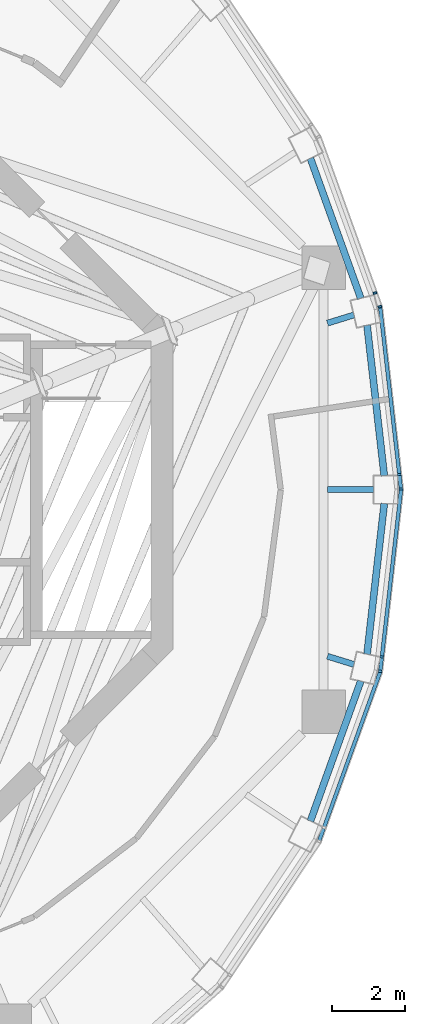
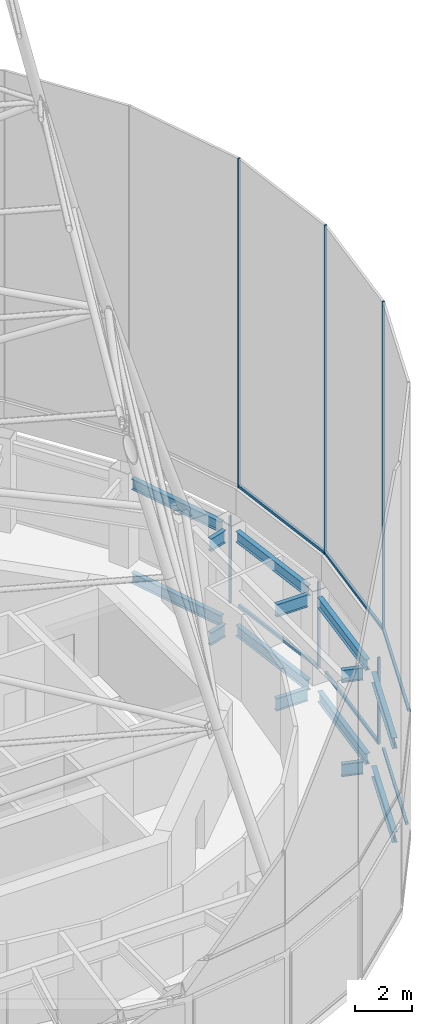
# One storey, part 16 of 25: 14 beams, 12 members, 8 elements without a shape of their own.
"""IFC4 building model written with IfcOpenShell, lengths in metres."""

from ifc_helpers import new_model, si_unit, direction, frame, origin, origin_2d, place, context, subcontext, project, spatial, rectangle, i_section, extrude, material, layer, layer_set, material_profile, profile_set, type_object, element, aggregate, save


model = new_model("IFC4")

# Units and contexts
model_context = context("Model", 3, precision=1e-05, world=origin(), true_north=direction((0.0, 1.0)))
body_context = subcontext(model_context, "Body", "Model", "MODEL_VIEW")
ifc_project = project(units=[si_unit("LENGTHUNIT", "METRE"), si_unit("AREAUNIT", "SQUARE_METRE"), si_unit("VOLUMEUNIT", "CUBIC_METRE"), si_unit("PLANEANGLEUNIT", "RADIAN"), si_unit("MASSUNIT", "GRAM", prefix="KILO")], contexts=[model_context])

# Site, building, storey
site_placement = place(None, origin())
site = spatial("IfcSite", under=ifc_project, at=site_placement, CompositionType="ELEMENT")
building_placement = place(site_placement, origin())
building = spatial("IfcBuilding", under=site, at=building_placement, Name="Nagisa Residences", CompositionType="ELEMENT")
storey_placement = place(building_placement, frame((0.0, 0.0, 340.89990234375)))
storey = spatial("IfcBuildingStorey", under=building, at=storey_placement, Name="L84", CompositionType="ELEMENT", Elevation=340.89990234375)

# Curtain wall, member
ifc_material_1 = material(Name="Aluminium curtain wall system", Category="aluminium")
ifc_layer = layer(ifc_material_1, 0.159912109375)
ifc_layer_set = layer_set([ifc_layer], Name="CW5 CURTAIN WALL")
curtain_wall_type = type_object("IfcCurtainWallType", Name="CW5 CURTAIN WALL", PredefinedType="NOTDEFINED", material=ifc_layer_set)
curtain_wall_1_placement = place(storey_placement, origin())
curtain_wall_1 = element("IfcCurtainWall", 1, at=curtain_wall_1_placement, inside=storey, type_object=curtain_wall_type, Name="cw:CW5:L84:00", PredefinedType="NOTDEFINED")
ifc_material_2 = material(Name="Aluminium", Category="aluminium")
ifc_material_profile_1 = material_profile(ifc_material_2, rectangle(XDim=0.10009765625, YDim=0.06005859375, at=origin_2d()), Name="CW5 MULLION 100x60")
ifc_profile_set_1 = profile_set([ifc_material_profile_1], Name="Aluminium")
member_type_1 = type_object("IfcMemberType", Name="CW5 MULLION 100x60", PredefinedType="MULLION", material=ifc_profile_set_1)
member_1_placement = place(storey_placement, frame((16.87158203125, 0.41796875, 0.0), z_axis=(0.0, 0.0, 1.0), x_axis=(-0.993477835048, -0.114025397474, 0.0)))
member_1 = element("IfcMember", 2, at=member_1_placement, type_object=member_type_1, Name="CW5 mullion", PredefinedType="MULLION", context=body_context, shape_type="SweptSolid", body=[
    extrude(rectangle(XDim=0.10009765625, YDim=0.06005859375, at=origin_2d()), origin(), (0.0, 0.0, 1.0), 3.7001953125),
])

curtain_wall_2_placement = place(storey_placement, origin())
curtain_wall_2 = element("IfcCurtainWall", 3, at=curtain_wall_2_placement, inside=storey, type_object=curtain_wall_type, Name="cw:CW5:L84:01", PredefinedType="NOTDEFINED")
member_2_placement = place(storey_placement, frame((16.199462890625, 5.42431640625, 0.0), z_axis=(0.0, 0.0, 1.0), x_axis=(-0.940554456033, -0.339642923136, 0.0)))
member_2 = element("IfcMember", 4, at=member_2_placement, type_object=member_type_1, Name="CW5 mullion", PredefinedType="MULLION", context=body_context, shape_type="SweptSolid", body=[
    extrude(rectangle(XDim=0.10009765625, YDim=0.06005859375, at=origin_2d()), origin(), (0.0, 0.0, 1.0), 3.7001953125),
])
aggregate(curtain_wall_2, [member_2])

curtain_wall_3_placement = place(storey_placement, origin())
curtain_wall_3 = element("IfcCurtainWall", 5, at=curtain_wall_3_placement, inside=storey, type_object=curtain_wall_type, Name="cw:CW5:L84:23", PredefinedType="NOTDEFINED")
member_3_placement = place(storey_placement, frame((16.390380859375, -4.610595703125, 0.0), z_axis=(0.0, 0.0, 1.0), x_axis=(-0.993477835048, 0.114025397474, 0.0)))
member_3 = element("IfcMember", 6, at=member_3_placement, type_object=member_type_1, Name="CW5 mullion", PredefinedType="MULLION", context=body_context, shape_type="SweptSolid", body=[
    extrude(rectangle(XDim=0.10009765625, YDim=0.06005859375, at=origin_2d()), origin(), (0.0, 0.0, 1.0), 3.7001953125),
])

curtain_wall_4_placement = place(storey_placement, origin())
curtain_wall_4 = element("IfcCurtainWall", 7, at=curtain_wall_4_placement, inside=storey, type_object=curtain_wall_type, Name="cw:CW5:L84:top0:00", PredefinedType="NOTDEFINED")
member_4_placement = place(storey_placement, frame((16.9169921875, 0.020751953125, 5.10009765625), z_axis=(0.0, 0.0, 1.0), x_axis=(-0.993477835048, -0.114025397474, 0.0)))
member_4 = element("IfcMember", 8, at=member_4_placement, type_object=member_type_1, Name="CW5 mullion", PredefinedType="MULLION", context=body_context, shape_type="SweptSolid", body=[
    extrude(rectangle(XDim=0.10009765625, YDim=0.06005859375, at=origin_2d()), origin(), (0.0, 0.0, 1.0), 14.0),
])

curtain_wall_5_placement = place(storey_placement, origin())
curtain_wall_5 = element("IfcCurtainWall", 9, at=curtain_wall_5_placement, inside=storey, type_object=curtain_wall_type, Name="cw:CW5:L84:top0:01", PredefinedType="NOTDEFINED")
member_5_placement = place(storey_placement, frame((16.335205078125, 5.048095703125, 5.10009765625), z_axis=(0.0, 0.0, 1.0), x_axis=(-0.940554456033, -0.339642923136, 0.0)))
member_5 = element("IfcMember", 10, at=member_5_placement, type_object=member_type_1, Name="CW5 mullion", PredefinedType="MULLION", context=body_context, shape_type="SweptSolid", body=[
    extrude(rectangle(XDim=0.10009765625, YDim=0.06005859375, at=origin_2d()), origin(), (0.0, 0.0, 1.0), 14.0),
])
aggregate(curtain_wall_5, [member_5])

curtain_wall_6_placement = place(storey_placement, origin())
curtain_wall_6 = element("IfcCurtainWall", 11, at=curtain_wall_6_placement, inside=storey, type_object=curtain_wall_type, Name="cw:CW5:L84:top0:23", PredefinedType="NOTDEFINED")
member_6_placement = place(storey_placement, frame((16.3447265625, -5.008056640625, 5.10009765625), z_axis=(0.0, 0.0, 1.0), x_axis=(-0.993477835048, 0.114025397474, 0.0)))
member_6 = element("IfcMember", 12, at=member_6_placement, type_object=member_type_1, Name="CW5 mullion", PredefinedType="MULLION", context=body_context, shape_type="SweptSolid", body=[
    extrude(rectangle(XDim=0.10009765625, YDim=0.06005859375, at=origin_2d()), origin(), (0.0, 0.0, 1.0), 14.0),
])

# Member
ifc_material_3 = material(Name="Aluminium", Category="aluminium")
ifc_material_profile_2 = material_profile(ifc_material_3, rectangle(XDim=0.10009765625, YDim=0.1201171875, at=origin_2d()), Name="CW5 TRANSOM 100x120")
ifc_profile_set_2 = profile_set([ifc_material_profile_2], Name="Aluminium")
member_type_2 = type_object("IfcMemberType", Name="CW5 TRANSOM 100x120", PredefinedType="USERDEFINED", material=ifc_profile_set_2)
member_7_placement = place(storey_placement, frame((16.875, 0.38818359375, 0.06005859375), z_axis=(-0.114032075188, 0.993477068597, 0.0), x_axis=(-0.993477068597, -0.114032075188, 0.0)))
member_7 = element("IfcMember", 13, at=member_7_placement, type_object=member_type_2, Name="CW5 transom", ObjectType="TRANSOM", PredefinedType="USERDEFINED", context=body_context, shape_type="SweptSolid", body=[
    extrude(rectangle(XDim=0.10009765625, YDim=0.1201171875, at=origin_2d()), origin(), (0.0, 0.0, 1.0), 4.68017578125),
])

aggregate(curtain_wall_1, [member_1, member_7])

# Curtain wall, member
curtain_wall_7_placement = place(storey_placement, origin())
curtain_wall_7 = element("IfcCurtainWall", 14, at=curtain_wall_7_placement, inside=storey, type_object=curtain_wall_type, Name="cw:CW5:L84:22", PredefinedType="NOTDEFINED")
member_8_placement = place(storey_placement, frame((14.782958984375, -9.3466796875, 0.06005859375), z_axis=(0.339645767878, 0.940553428766, 0.0), x_axis=(-0.940553428766, 0.339645767878, 0.0)))
member_8 = element("IfcMember", 15, at=member_8_placement, type_object=member_type_2, Name="CW5 transom", ObjectType="TRANSOM", PredefinedType="USERDEFINED", context=body_context, shape_type="SweptSolid", body=[
    extrude(rectangle(XDim=0.10009765625, YDim=0.1201171875, at=origin_2d()), origin(), (0.0, 0.0, 1.0), 4.600341796875),
])
aggregate(curtain_wall_7, [member_8])

# Member
member_9_placement = place(storey_placement, frame((16.386962890625, -4.640380859375, 0.06005859375), z_axis=(0.11398649568, 0.993482299189, 0.0), x_axis=(-0.993482299189, 0.11398649568, 0.0)))
member_9 = element("IfcMember", 16, at=member_9_placement, type_object=member_type_2, Name="CW5 transom", ObjectType="TRANSOM", PredefinedType="USERDEFINED", context=body_context, shape_type="SweptSolid", body=[
    extrude(rectangle(XDim=0.10009765625, YDim=0.1201171875, at=origin_2d()), origin(), (0.0, 0.0, 1.0), 4.679931640625),
])

aggregate(curtain_wall_3, [member_3, member_9])

member_10_placement = place(storey_placement, frame((16.92041015625, -0.009033203125, 5.16015625), z_axis=(-0.113996578441, 0.993481142299, 0.0), x_axis=(-0.993481142299, -0.113996578441, 0.0)))
member_10 = element("IfcMember", 17, at=member_10_placement, type_object=member_type_2, Name="CW5 transom", ObjectType="TRANSOM", PredefinedType="USERDEFINED", context=body_context, shape_type="SweptSolid", body=[
    extrude(rectangle(XDim=0.10009765625, YDim=0.1201171875, at=origin_2d()), origin(), (0.0, 0.0, 1.0), 5.080078125),
])

aggregate(curtain_wall_4, [member_4, member_10])

# Curtain wall, member
curtain_wall_8_placement = place(storey_placement, origin())
curtain_wall_8 = element("IfcCurtainWall", 18, at=curtain_wall_8_placement, inside=storey, type_object=curtain_wall_type, Name="cw:CW5:L84:top0:22", PredefinedType="NOTDEFINED")
member_11_placement = place(storey_placement, frame((14.647216796875, -9.722900390625, 5.16015625), z_axis=(0.339625267064, 0.940560831617, 0.0), x_axis=(-0.940560831617, 0.339625267064, 0.0)))
member_11 = element("IfcMember", 19, at=member_11_placement, type_object=member_type_2, Name="CW5 transom", ObjectType="TRANSOM", PredefinedType="USERDEFINED", context=body_context, shape_type="SweptSolid", body=[
    extrude(rectangle(XDim=0.10009765625, YDim=0.1201171875, at=origin_2d()), origin(), (0.0, 0.0, 1.0), 5.000244140625),
])
aggregate(curtain_wall_8, [member_11])

# Member
member_12_placement = place(storey_placement, frame((16.34130859375, -5.037841796875, 5.16015625), z_axis=(0.113996578441, 0.993481142299, 0.0), x_axis=(-0.993481142299, 0.113996578441, 0.0)))
member_12 = element("IfcMember", 20, at=member_12_placement, type_object=member_type_2, Name="CW5 transom", ObjectType="TRANSOM", PredefinedType="USERDEFINED", context=body_context, shape_type="SweptSolid", body=[
    extrude(rectangle(XDim=0.10009765625, YDim=0.1201171875, at=origin_2d()), origin(), (0.0, 0.0, 1.0), 5.080078125),
])

aggregate(curtain_wall_6, [member_6, member_12])

# Beams
ifc_material_4 = material(Name="Steel ASTM A572 Gr 50", Category="steel")
ifc_material_profile_3 = material_profile(ifc_material_4, i_section(OverallWidth=0.18994140625, OverallDepth=0.45703125, WebThickness=0.009033203125, FlangeThickness=0.014404296875, at=origin_2d()), Name="W460x74")
ifc_profile_set_3 = profile_set([ifc_material_profile_3], Name="Steel ASTM A572 Gr 50")
beam_type_1 = type_object("IfcBeamType", Name="Perimeter ring beam W460x74", PredefinedType="BEAM", material=ifc_profile_set_3)
beam_1_placement = place(storey_placement, frame((16.45654296875, 0.380126953125, -0.5283203125), z_axis=(-0.113600894263, 0.993526465084, 0.0), x_axis=(-0.993526465084, -0.113600894263, 0.0)))
element("IfcBeam", 21, at=beam_1_placement, inside=storey, type_object=beam_type_1, Name="beam:L84:pb01", PredefinedType="BEAM", context=body_context, shape_type="SweptSolid", body=[
    extrude(i_section(OverallWidth=0.18994140625, OverallDepth=0.45703125, WebThickness=0.009033203125, FlangeThickness=0.014404296875, at=origin_2d()), origin(), (0.0, 0.0, 1.0), 4.184326171875),
])
for number, where, z_axis, x_axis, name in (
    (22, (15.808349609375, 5.277587890625, -0.5283203125), (-0.338517252251, 0.940960185092, 0.0), (-0.940960185092, -0.338517252251, 0.0), "beam:L84:pb02"),
    (23, (14.4189453125, -9.1396484375, -0.5283203125), (0.338517252251, 0.940960185092, 0.0), (-0.940960185092, 0.338517252251, 0.0), "beam:L84:pb23"),
):
    element("IfcBeam", number, at=place(storey_placement, frame(where, z_axis=z_axis, x_axis=x_axis)), inside=storey, type_object=beam_type_1, Name=name, PredefinedType="BEAM", context=body_context, shape_type="SweptSolid", body=[
        extrude(i_section(OverallWidth=0.18994140625, OverallDepth=0.45703125, WebThickness=0.009033203125, FlangeThickness=0.014404296875, at=origin_2d()), origin(), (0.0, 0.0, 1.0), 4.1044921875),
    ])
for number, where, z_axis, x_axis, name in (
    (24, (15.981201171875, -4.537353515625, -0.5283203125), (0.113600894263, 0.993526465084, 0.0), (-0.993526465084, 0.113600894263, 0.0), "beam:L84:pb24"),
    (25, (16.45654296875, 0.380126953125, 3.4716796875), (-0.113600894263, 0.993526465084, 0.0), (-0.993526465084, -0.113600894263, 0.0), "beam:L84:rpb01"),
):
    element("IfcBeam", number, at=place(storey_placement, frame(where, z_axis=z_axis, x_axis=x_axis)), inside=storey, type_object=beam_type_1, Name=name, PredefinedType="BEAM", context=body_context, shape_type="SweptSolid", body=[
        extrude(i_section(OverallWidth=0.18994140625, OverallDepth=0.45703125, WebThickness=0.009033203125, FlangeThickness=0.014404296875, at=origin_2d()), origin(), (0.0, 0.0, 1.0), 4.184326171875),
    ])
for number, where, z_axis, x_axis, name in (
    (26, (15.808349609375, 5.277587890625, 3.4716796875), (-0.338517252251, 0.940960185092, 0.0), (-0.940960185092, -0.338517252251, 0.0), "beam:L84:rpb02"),
    (27, (14.4189453125, -9.1396484375, 3.4716796875), (0.338517252251, 0.940960185092, 0.0), (-0.940960185092, 0.338517252251, 0.0), "beam:L84:rpb23"),
):
    element("IfcBeam", number, at=place(storey_placement, frame(where, z_axis=z_axis, x_axis=x_axis)), inside=storey, type_object=beam_type_1, Name=name, PredefinedType="BEAM", context=body_context, shape_type="SweptSolid", body=[
        extrude(i_section(OverallWidth=0.18994140625, OverallDepth=0.45703125, WebThickness=0.009033203125, FlangeThickness=0.014404296875, at=origin_2d()), origin(), (0.0, 0.0, 1.0), 4.1044921875),
    ])
beam_2_placement = place(storey_placement, frame((15.981201171875, -4.537353515625, 3.4716796875), z_axis=(0.113600894263, 0.993526465084, 0.0), x_axis=(-0.993526465084, 0.113600894263, 0.0)))
element("IfcBeam", 28, at=beam_2_placement, inside=storey, type_object=beam_type_1, Name="beam:L84:rpb24", PredefinedType="BEAM", context=body_context, shape_type="SweptSolid", body=[
    extrude(i_section(OverallWidth=0.18994140625, OverallDepth=0.45703125, WebThickness=0.009033203125, FlangeThickness=0.014404296875, at=origin_2d()), origin(), (0.0, 0.0, 1.0), 4.184326171875),
])
ifc_material_5 = material(Name="Steel ASTM A572 Gr 50", Category="steel")
ifc_material_profile_4 = material_profile(ifc_material_5, i_section(OverallWidth=0.166015625, OverallDepth=0.534912109375, WebThickness=0.01025390625, FlangeThickness=0.0166015625, at=origin_2d()), Name="W530x85")
ifc_profile_set_4 = profile_set([ifc_material_profile_4], Name="Steel ASTM A572 Gr 50")
beam_type_2 = type_object("IfcBeamType", Name="Radial beam W530x85", PredefinedType="BEAM", material=ifc_profile_set_4)
beam_3_placement = place(storey_placement, frame((16.169921875, 0.0, -0.5673828125), z_axis=(-1.0, 0.0, 0.0), x_axis=(0.0, -1.0, 0.0)))
element("IfcBeam", 29, at=beam_3_placement, inside=storey, type_object=beam_type_2, Name="beam:L84:rb01", PredefinedType="BEAM", context=body_context, shape_type="SweptSolid", body=[
    extrude(i_section(OverallWidth=0.166015625, OverallDepth=0.534912109375, WebThickness=0.01025390625, FlangeThickness=0.0166015625, at=origin_2d()), origin(), (0.0, 0.0, 1.0), 1.28125),
])
for number, where, z_axis, x_axis, name in (
    (30, (15.62158203125, 4.820068359375, -0.5673828125), (-0.955489220567, -0.295026014753, 0.0), (0.295026014753, -0.955489220567, 0.0), "beam:L84:rb02"),
    (31, (15.62158203125, -4.820068359375, -0.5673828125), (-0.955489220567, 0.295026014753, 0.0), (-0.295026014753, -0.955489220567, 0.0), "beam:L84:rb24"),
):
    element("IfcBeam", number, at=place(storey_placement, frame(where, z_axis=z_axis, x_axis=x_axis)), inside=storey, type_object=beam_type_2, Name=name, PredefinedType="BEAM", context=body_context, shape_type="SweptSolid", body=[
        extrude(i_section(OverallWidth=0.166015625, OverallDepth=0.534912109375, WebThickness=0.01025390625, FlangeThickness=0.0166015625, at=origin_2d()), origin(), (0.0, 0.0, 1.0), 0.766357421875),
    ])
beam_4_placement = place(storey_placement, frame((16.169921875, 0.0, 3.4326171875), z_axis=(-1.0, 0.0, 0.0), x_axis=(0.0, -1.0, 0.0)))
element("IfcBeam", 32, at=beam_4_placement, inside=storey, type_object=beam_type_2, Name="beam:L84:rrb01", PredefinedType="BEAM", context=body_context, shape_type="SweptSolid", body=[
    extrude(i_section(OverallWidth=0.166015625, OverallDepth=0.534912109375, WebThickness=0.01025390625, FlangeThickness=0.0166015625, at=origin_2d()), origin(), (0.0, 0.0, 1.0), 1.28125),
])
for number, where, z_axis, x_axis, name in (
    (33, (15.62158203125, 4.820068359375, 3.4326171875), (-0.955489220567, -0.295026014753, 0.0), (0.295026014753, -0.955489220567, 0.0), "beam:L84:rrb02"),
    (34, (15.62158203125, -4.820068359375, 3.4326171875), (-0.955489220567, 0.295026014753, 0.0), (-0.295026014753, -0.955489220567, 0.0), "beam:L84:rrb24"),
):
    element("IfcBeam", number, at=place(storey_placement, frame(where, z_axis=z_axis, x_axis=x_axis)), inside=storey, type_object=beam_type_2, Name=name, PredefinedType="BEAM", context=body_context, shape_type="SweptSolid", body=[
        extrude(i_section(OverallWidth=0.166015625, OverallDepth=0.534912109375, WebThickness=0.01025390625, FlangeThickness=0.0166015625, at=origin_2d()), origin(), (0.0, 0.0, 1.0), 0.766357421875),
    ])

save(model, "model.ifc")
